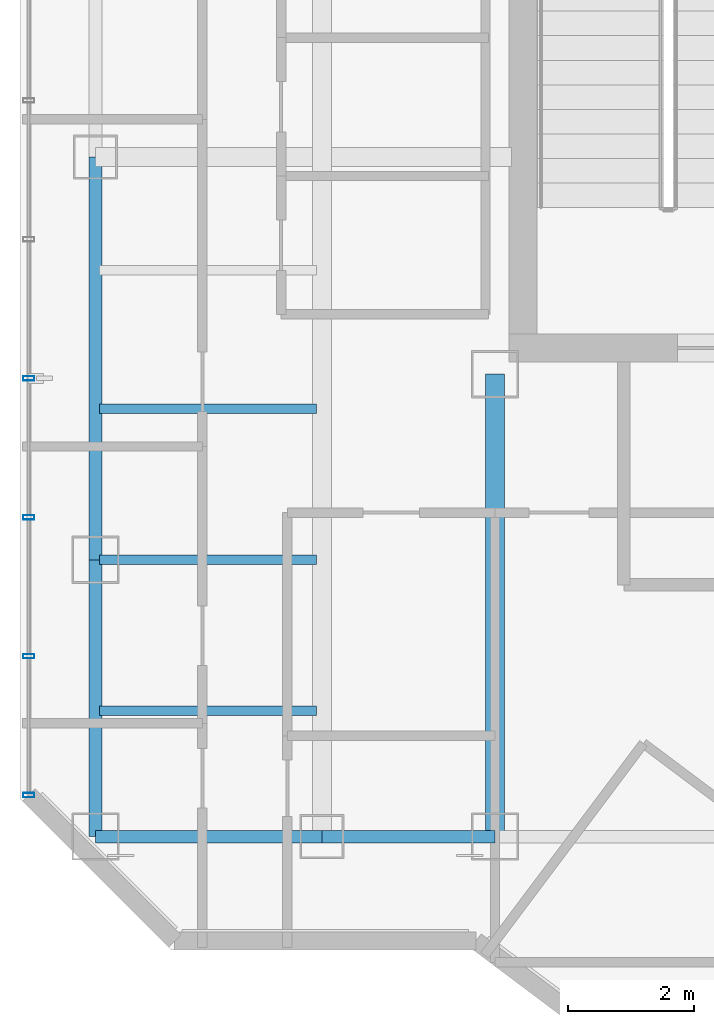
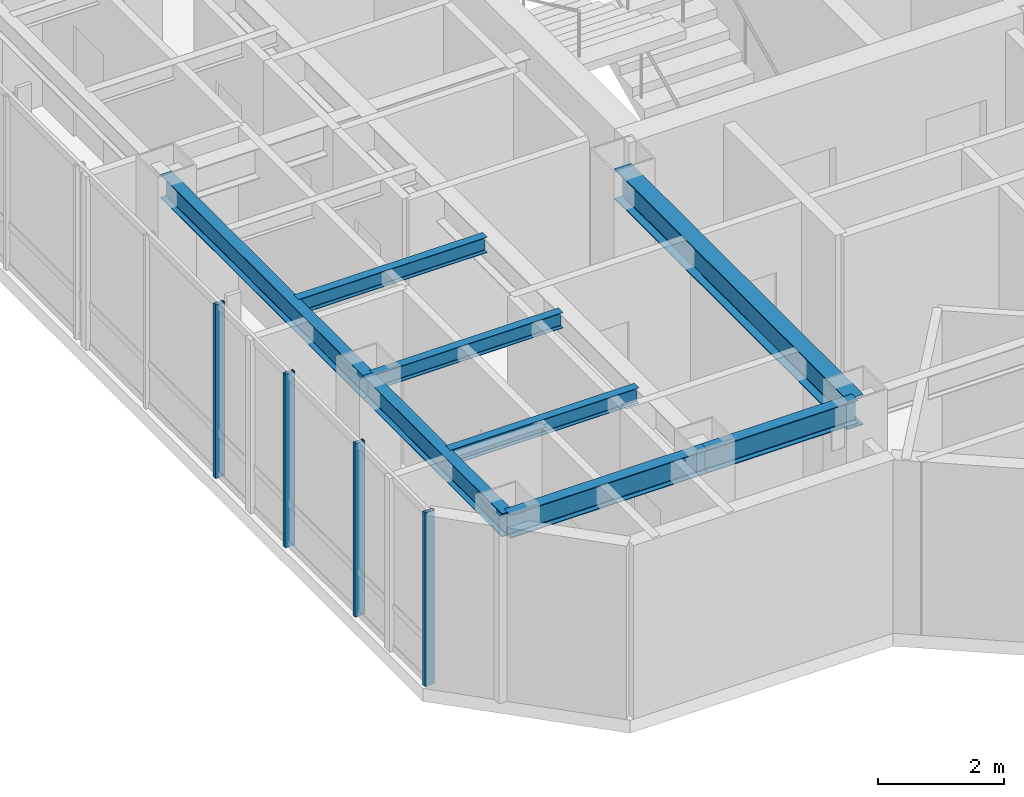
# One storey, part 4 of 26: 8 beams, 4 members, 1 element without a shape of its own.
"""IFC4 building model written with IfcOpenShell, lengths in metres."""

from ifc_helpers import new_model, si_unit, direction, frame, origin, origin_2d, place, context, subcontext, project, spatial, hollow_rectangle, i_section, extrude, material, layer, layer_set, material_profile, profile_set, type_object, element, aggregate, save


model = new_model("IFC4")

# Units and contexts
model_context = context("Model", 3, precision=1e-05, world=origin(), true_north=direction((0.0, 1.0)))
body_context = subcontext(model_context, "Body", "Model", "MODEL_VIEW")
ifc_project = project(units=[si_unit("LENGTHUNIT", "METRE"), si_unit("AREAUNIT", "SQUARE_METRE"), si_unit("VOLUMEUNIT", "CUBIC_METRE"), si_unit("PLANEANGLEUNIT", "RADIAN"), si_unit("MASSUNIT", "GRAM", prefix="KILO")], contexts=[model_context])

# Site, building, storey
site_placement = place(None, origin())
site = spatial("IfcSite", under=ifc_project, at=site_placement, CompositionType="ELEMENT")
building_placement = place(site_placement, origin())
building = spatial("IfcBuilding", under=site, at=building_placement, Name="Hatsunagi Terrace Concourse", CompositionType="ELEMENT")
storey_placement = place(building_placement, frame((0.0, 0.0, 209.550048828125)))
storey = spatial("IfcBuildingStorey", under=building, at=storey_placement, Name="L55", CompositionType="ELEMENT", Elevation=209.550048828125)

# Curtain wall, members
ifc_material_1 = material(Name="Anodised Aluminium Alloy 6063-T5", Category="aluminium")
ifc_layer = layer(ifc_material_1, 0.199951171875)
ifc_layer_set = layer_set([ifc_layer], Name="OfficeZone2_CW04")
curtain_wall_type = type_object("IfcCurtainWallType", Name="OfficeZone2_CW04", PredefinedType="NOTDEFINED", material=ifc_layer_set)
curtain_wall_placement = place(storey_placement, origin())
curtain_wall = element("IfcCurtainWall", 1, at=curtain_wall_placement, inside=storey, type_object=curtain_wall_type, Name="Unitised Curtain Wall CW-04 CW-L55-08", PredefinedType="NOTDEFINED")
ifc_material_2 = material(Name="Anodised Aluminium Alloy 6063-T5", Category="aluminium")
ifc_material_profile_1 = material_profile(ifc_material_2, hollow_rectangle(XDim=0.070068359375, YDim=0.179931640625, WallThickness=0.00390625, at=origin_2d()), Name="ALU-MUL-180x70x4")
ifc_profile_set_1 = profile_set([ifc_material_profile_1], Name="Anodised Aluminium Alloy 6063-T5")
member_type = type_object("IfcMemberType", Name="CurtainWallMullion_180x70", PredefinedType="MULLION", material=ifc_profile_set_1)
member_1_placement = place(storey_placement, frame((18.139892578125, 25.85791015625, 0.0), z_axis=(0.0, 0.0, 1.0), x_axis=(0.0, 1.0, 0.0)))
member_1 = element("IfcMember", 2, at=member_1_placement, type_object=member_type, Name="Curtain Wall Mullion MUL-02", PredefinedType="MULLION", context=body_context, shape_type="SweptSolid", body=[
    extrude(hollow_rectangle(XDim=0.070068359375, YDim=0.179931640625, WallThickness=0.00390625, at=origin_2d()), origin(), (0.0, 0.0, 1.0), 3.349853515625),
])
member_2_placement = place(storey_placement, frame((18.139892578125, 28.06591796875, 0.0), z_axis=(0.0, 0.0, 1.0), x_axis=(0.0, 1.0, 0.0)))
member_2 = element("IfcMember", 3, at=member_2_placement, type_object=member_type, Name="Curtain Wall Mullion MUL-02", PredefinedType="MULLION", context=body_context, shape_type="SweptSolid", body=[
    extrude(hollow_rectangle(XDim=0.070068359375, YDim=0.179931640625, WallThickness=0.00390625, at=origin_2d()), origin(), (0.0, 0.0, 1.0), 3.349853515625),
])
member_3_placement = place(storey_placement, frame((18.139892578125, 30.27490234375, 0.0), z_axis=(0.0, 0.0, 1.0), x_axis=(0.0, 1.0, 0.0)))
member_3 = element("IfcMember", 4, at=member_3_placement, type_object=member_type, Name="Curtain Wall Mullion MUL-02", PredefinedType="MULLION", context=body_context, shape_type="SweptSolid", body=[
    extrude(hollow_rectangle(XDim=0.070068359375, YDim=0.179931640625, WallThickness=0.00390625, at=origin_2d()), origin(), (0.0, 0.0, 1.0), 3.349853515625),
])
member_4_placement = place(storey_placement, frame((18.139892578125, 32.48291015625, 0.0), z_axis=(0.0, 0.0, 1.0), x_axis=(0.0, 1.0, 0.0)))
member_4 = element("IfcMember", 5, at=member_4_placement, type_object=member_type, Name="Curtain Wall Mullion MUL-02", PredefinedType="MULLION", context=body_context, shape_type="SweptSolid", body=[
    extrude(hollow_rectangle(XDim=0.070068359375, YDim=0.179931640625, WallThickness=0.00390625, at=origin_2d()), origin(), (0.0, 0.0, 1.0), 3.349853515625),
])
aggregate(curtain_wall, [member_1, member_2, member_3, member_4])

# Beams
ifc_material_3 = material(Name="Steel SN490B", Category="steel")
ifc_material_profile_2 = material_profile(ifc_material_3, i_section(OverallWidth=0.300048828125, OverallDepth=0.587890625, WebThickness=0.011962890625, FlangeThickness=0.02001953125, FilletRadius=0.01806640625, at=origin_2d()), Name="H-588x300x12x20")
ifc_profile_set_2 = profile_set([ifc_material_profile_2], Name="Steel SN490B")
beam_type_1 = type_object("IfcBeamType", Name="OfficeHighGirder_H_588x300", PredefinedType="BEAM", material=ifc_profile_set_2)
beam_1_placement = place(storey_placement, frame((25.550048828125, 25.199951171875, 3.055908203125), z_axis=(0.0, 1.0, 0.0), x_axis=(-1.0, 0.0, 0.0)))
element("IfcBeam", 6, at=beam_1_placement, inside=storey, type_object=beam_type_1, Name="Beam G-06 BM-L55-K1CA", PredefinedType="BEAM", context=body_context, shape_type="SweptSolid", body=[
    extrude(i_section(OverallWidth=0.300048828125, OverallDepth=0.587890625, WebThickness=0.011962890625, FlangeThickness=0.02001953125, FilletRadius=0.01806640625, at=origin_2d()), origin(), (0.0, 0.0, 1.0), 7.35009765625),
])
ifc_material_4 = material(Name="Steel SN490B", Category="steel")
ifc_material_profile_3 = material_profile(ifc_material_4, i_section(OverallWidth=0.14990234375, OverallDepth=0.300048828125, WebThickness=0.006591796875, FlangeThickness=0.009033203125, FilletRadius=0.010986328125, at=origin_2d()), Name="H-300x150x6.5x9")
ifc_profile_set_3 = profile_set([ifc_material_profile_3], Name="Steel SN490B")
beam_type_2 = type_object("IfcBeamType", Name="OfficeJoist_H_300x150", PredefinedType="JOIST", material=ifc_profile_set_3)
for number, where, z_axis, x_axis, name in (
    (7, (19.264892578125, 27.199951171875, 3.199951171875), (1.0, 0.0, 0.0), (0.0, 1.0, 0.0), "Beam J-03 J-L55-W-19-272"),
    (8, (19.264892578125, 29.60009765625, 3.199951171875), (1.0, 0.0, 0.0), (0.0, 1.0, 0.0), "Beam J-03 J-L55-W-19-296"),
    (9, (19.264892578125, 32.0, 3.199951171875), (1.0, 0.0, 0.0), (0.0, 1.0, 0.0), "Beam J-03 J-L55-W-19-320"),
):
    element("IfcBeam", number, at=place(storey_placement, frame(where, z_axis=z_axis, x_axis=x_axis)), inside=storey, type_object=beam_type_2, Name=name, PredefinedType="JOIST", context=body_context, shape_type="SweptSolid", body=[
        extrude(i_section(OverallWidth=0.14990234375, OverallDepth=0.300048828125, WebThickness=0.006591796875, FlangeThickness=0.009033203125, FilletRadius=0.010986328125, at=origin_2d()), origin(), (0.0, 0.0, 1.0), 3.4501953125),
    ])
ifc_material_5 = material(Name="Steel SN490B", Category="steel")
ifc_material_profile_4 = material_profile(ifc_material_5, i_section(OverallWidth=0.199951171875, OverallDepth=0.449951171875, WebThickness=0.009033203125, FlangeThickness=0.013916015625, FilletRadius=0.01611328125, at=origin_2d()), Name="H-450x200x9x14")
ifc_profile_set_4 = profile_set([ifc_material_profile_4], Name="Steel SN490B")
beam_type_3 = type_object("IfcBeamType", Name="PerimeterSpandrel_H_450x200", PredefinedType="SPANDREL", material=ifc_profile_set_4)
beam_2_placement = place(storey_placement, frame((19.199951171875, 25.199951171875, 3.125), z_axis=(1.0, 0.0, 0.0), x_axis=(0.0, 1.0, 0.0)))
element("IfcBeam", 10, at=beam_2_placement, inside=storey, type_object=beam_type_3, Name="Beam SP-02 BM-L55-WS-19", PredefinedType="SPANDREL", context=body_context, shape_type="SweptSolid", body=[
    extrude(i_section(OverallWidth=0.199951171875, OverallDepth=0.449951171875, WebThickness=0.009033203125, FlangeThickness=0.013916015625, FilletRadius=0.01611328125, at=origin_2d()), origin(), (0.0, 0.0, 1.0), 3.60009765625),
])
beam_3_placement = place(storey_placement, frame((22.800048828125, 25.199951171875, 3.125), z_axis=(1.0, 0.0, 0.0), x_axis=(0.0, 1.0, 0.0)))
element("IfcBeam", 11, at=beam_3_placement, inside=storey, type_object=beam_type_3, Name="Beam SP-02 BM-L55-WS-22", PredefinedType="SPANDREL", context=body_context, shape_type="SweptSolid", body=[
    extrude(i_section(OverallWidth=0.199951171875, OverallDepth=0.449951171875, WebThickness=0.009033203125, FlangeThickness=0.013916015625, FilletRadius=0.01611328125, at=origin_2d()), origin(), (0.0, 0.0, 1.0), 2.75),
])
beam_4_placement = place(storey_placement, frame((19.199951171875, 25.199951171875, 3.125), z_axis=(0.0, 1.0, 0.0), x_axis=(-1.0, 0.0, 0.0)))
element("IfcBeam", 12, at=beam_4_placement, inside=storey, type_object=beam_type_3, Name="Beam SP-02 BM-L55-NS-19-25", PredefinedType="SPANDREL", context=body_context, shape_type="SweptSolid", body=[
    extrude(i_section(OverallWidth=0.199951171875, OverallDepth=0.449951171875, WebThickness=0.009033203125, FlangeThickness=0.013916015625, FilletRadius=0.01611328125, at=origin_2d()), origin(), (0.0, 0.0, 1.0), 4.400146484375),
])
beam_5_placement = place(storey_placement, frame((19.199951171875, 29.60009765625, 3.125), z_axis=(0.0, 1.0, 0.0), x_axis=(-1.0, 0.0, 0.0)))
element("IfcBeam", 13, at=beam_5_placement, inside=storey, type_object=beam_type_3, Name="Beam SP-02 BM-L55-NS-19-29", PredefinedType="SPANDREL", context=body_context, shape_type="SweptSolid", body=[
    extrude(i_section(OverallWidth=0.199951171875, OverallDepth=0.449951171875, WebThickness=0.009033203125, FlangeThickness=0.013916015625, FilletRadius=0.01611328125, at=origin_2d()), origin(), (0.0, 0.0, 1.0), 6.39990234375),
])

save(model, "model.ifc")
